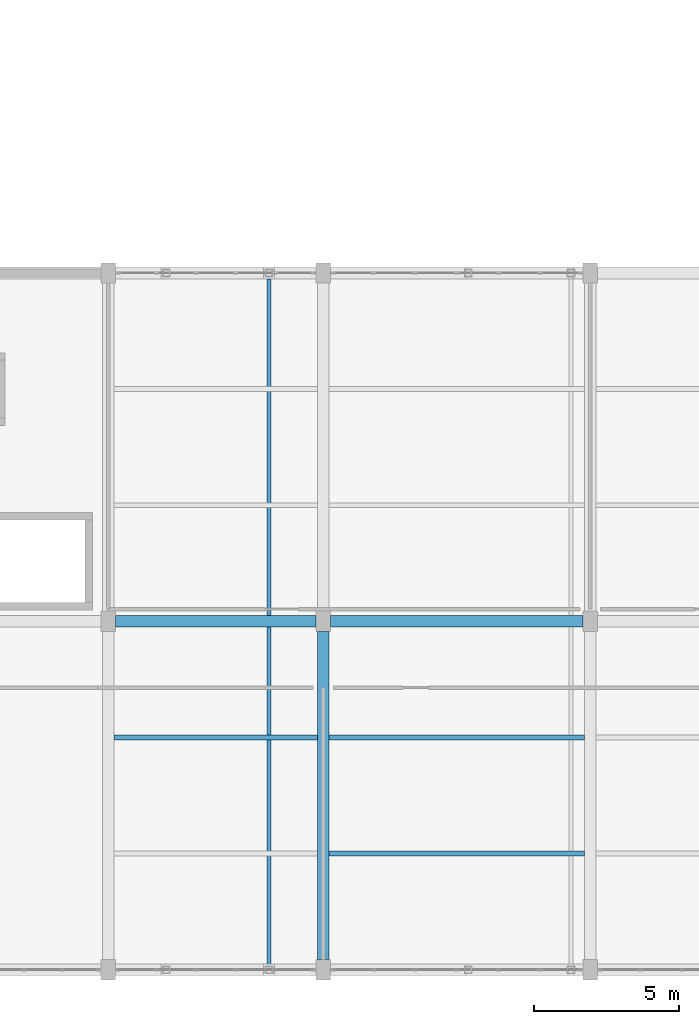
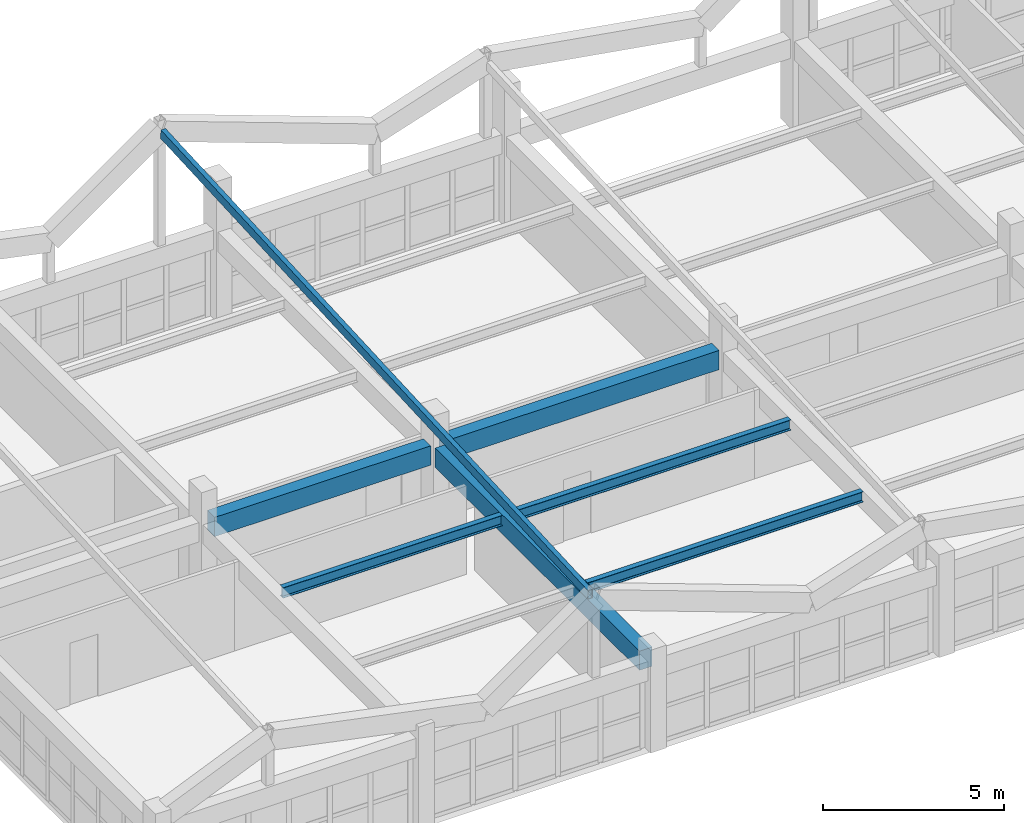
# One storey, part 17 of 127: 6 beams, 1 member.
"""IFC4 building model written with IfcOpenShell, lengths in metres."""

from ifc_helpers import new_model, si_unit, direction, frame, origin, origin_2d, place, context, subcontext, project, spatial, rectangle, hollow_rectangle, i_section, extrude, material, material_profile, profile_set, type_object, element, save


model = new_model("IFC4")

# Units and contexts
model_context = context("Model", 3, precision=1e-05, world=origin(), true_north=direction((0.0, 1.0)))
body_context = subcontext(model_context, "Body", "Model", "MODEL_VIEW")
ifc_project = project(units=[si_unit("LENGTHUNIT", "METRE"), si_unit("AREAUNIT", "SQUARE_METRE"), si_unit("VOLUMEUNIT", "CUBIC_METRE"), si_unit("PLANEANGLEUNIT", "RADIAN"), si_unit("MASSUNIT", "GRAM", prefix="KILO")], contexts=[model_context])

# Site, building, storey
site_placement = place(None, origin())
site = spatial("IfcSite", under=ifc_project, at=site_placement, CompositionType="ELEMENT")
building_placement = place(site_placement, origin())
building = spatial("IfcBuilding", under=site, at=building_placement, Name="Kestramere Prow Commons", CompositionType="ELEMENT")
storey_placement = place(building_placement, frame((0.0, 0.0, 8.39990234375)))
storey = spatial("IfcBuildingStorey", under=building, at=storey_placement, Name="L02", CompositionType="ELEMENT", Elevation=8.39990234375)

# Beams
ifc_material_1 = material(Name="Precast concrete C40/50", Category="concrete")
ifc_material_profile_1 = material_profile(ifc_material_1, rectangle(XDim=0.39990234375, YDim=0.64990234375, at=origin_2d()), Name="PC-BM 400x650")
ifc_profile_set_1 = profile_set([ifc_material_profile_1], Name="Precast concrete C40/50")
beam_type_1 = type_object("IfcBeamType", Name="BM-MK-01 PC-BM 400x650", PredefinedType="BEAM", material=ifc_profile_set_1)
beam_1_placement = place(storey_placement, frame((68.64990234375, 12.0, 2.675048828125), z_axis=(1.0, 0.0, 0.0), x_axis=(0.0, 1.0, 0.0)))
element("IfcBeam", 1, at=beam_1_placement, inside=storey, type_object=beam_type_1, Name="Market Spine L02 Beam X 2-2", PredefinedType="BEAM", context=body_context, shape_type="SweptSolid", body=[
    extrude(rectangle(XDim=0.39990234375, YDim=0.64990234375, at=origin_2d()), origin(), (0.0, 0.0, 1.0), 6.900146484375),
])
beam_2_placement = place(storey_placement, frame((76.050048828125, 12.0, 2.675048828125), z_axis=(1.0, 0.0, 0.0), x_axis=(0.0, 1.0, 0.0)))
element("IfcBeam", 2, at=beam_2_placement, inside=storey, type_object=beam_type_1, Name="Market Spine L02 Beam X 2-3", PredefinedType="BEAM", context=body_context, shape_type="SweptSolid", body=[
    extrude(rectangle(XDim=0.39990234375, YDim=0.64990234375, at=origin_2d()), origin(), (0.0, 0.0, 1.0), 8.699951171875),
])
beam_3_placement = place(storey_placement, frame((75.800048828125, 0.35009765625, 2.675048828125), z_axis=(0.0, 1.0, 0.0), x_axis=(-1.0, 0.0, 0.0)))
element("IfcBeam", 3, at=beam_3_placement, inside=storey, type_object=beam_type_1, Name="Market Spine L02 Beam Y 3-1", PredefinedType="BEAM", context=body_context, shape_type="SweptSolid", body=[
    extrude(rectangle(XDim=0.39990234375, YDim=0.64990234375, at=origin_2d()), origin(), (0.0, 0.0, 1.0), 11.2998046875),
])
ifc_material_2 = material(Name="Steel S355JR", Category="steel")
ifc_material_profile_2 = material_profile(ifc_material_2, i_section(OverallWidth=0.17138671875, OverallDepth=0.35498046875, WebThickness=0.00732421875, FlangeThickness=0.011474609375, FilletRadius=0.01025390625, at=origin_2d()), Name="UB 356x171x51")
ifc_profile_set_2 = profile_set([ifc_material_profile_2], Name="Steel S355JR")
beam_type_2 = type_object("IfcBeamType", Name="JST-MK-01 UB 356x171x51", PredefinedType="JOIST", material=ifc_profile_set_2)
beam_4_placement = place(storey_placement, frame((68.60009765625, 8.0, 2.822509765625), z_axis=(1.0, 0.0, 0.0), x_axis=(0.0, 1.0, 0.0)))
element("IfcBeam", 4, at=beam_4_placement, inside=storey, type_object=beam_type_2, Name="Market Spine L02 Secondary Joist 2-8", PredefinedType="JOIST", context=body_context, shape_type="SweptSolid", body=[
    extrude(i_section(OverallWidth=0.17138671875, OverallDepth=0.35498046875, WebThickness=0.00732421875, FlangeThickness=0.011474609375, FilletRadius=0.01025390625, at=origin_2d()), origin(), (0.0, 0.0, 1.0), 7.0),
])
for number, where, z_axis, x_axis, name in (
    (5, (76.0, 4.0, 2.822509765625), (1.0, 0.0, 0.0), (0.0, 1.0, 0.0), "Market Spine L02 Secondary Joist 3-4"),
    (6, (76.0, 8.0, 2.822509765625), (1.0, 0.0, 0.0), (0.0, 1.0, 0.0), "Market Spine L02 Secondary Joist 3-8"),
):
    element("IfcBeam", number, at=place(storey_placement, frame(where, z_axis=z_axis, x_axis=x_axis)), inside=storey, type_object=beam_type_2, Name=name, PredefinedType="JOIST", context=body_context, shape_type="SweptSolid", body=[
        extrude(i_section(OverallWidth=0.17138671875, OverallDepth=0.35498046875, WebThickness=0.00732421875, FlangeThickness=0.011474609375, FilletRadius=0.01025390625, at=origin_2d()), origin(), (0.0, 0.0, 1.0), 8.800048828125),
    ])

# Member
ifc_material_profile_3 = material_profile(ifc_material_2, hollow_rectangle(XDim=0.14990234375, YDim=0.300048828125, WallThickness=0.012451171875, at=origin_2d()), Name="RHS 300x150x12.5")
ifc_profile_set_3 = profile_set([ifc_material_profile_3], Name="Steel S355JR")
member_type = type_object("IfcMemberType", Name="PUR-MK-01 RHS 300x150x12.5", PredefinedType="PURLIN", material=ifc_profile_set_3)
member_placement = place(storey_placement, frame((73.93603515625, 0.199951171875, 5.595458984375), z_axis=(0.0, 0.998646248749, 0.05201605386), x_axis=(-1.0, 0.0, 0.0)))
element("IfcMember", 7, at=member_placement, inside=storey, type_object=member_type, Name="Market Folded-Roof Ridge Purlin 2", PredefinedType="PURLIN", context=body_context, shape_type="SweptSolid", body=[
    extrude(hollow_rectangle(XDim=0.14990234375, YDim=0.300048828125, WallThickness=0.012451171875, at=origin_2d()), origin(), (0.0, 0.0, 1.0), 23.632080078125),
])

save(model, "model.ifc")
